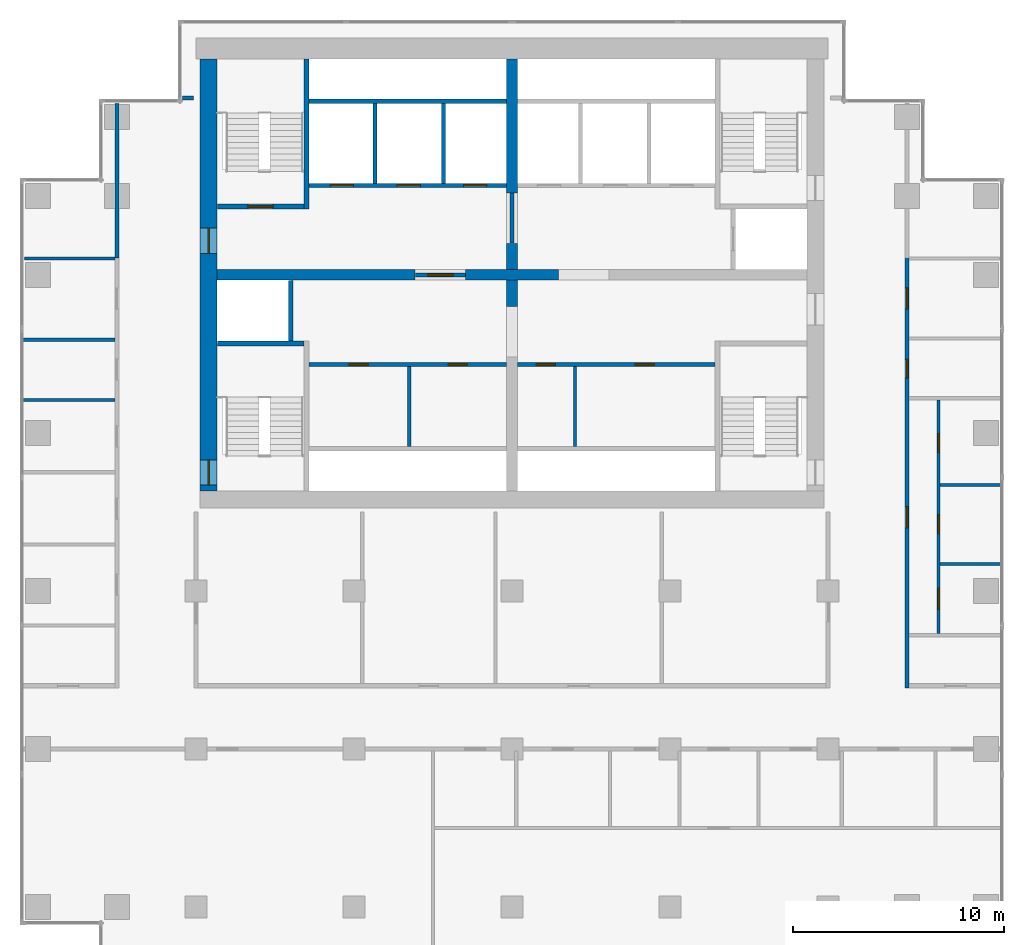
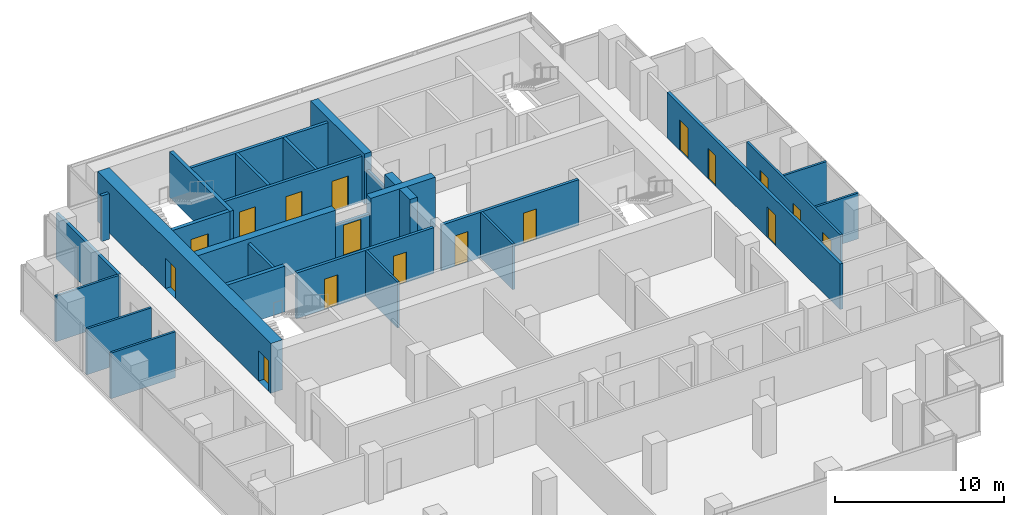
# One storey, part 8 of 10: 29 walls, 17 doors, 17 openings.
"""IFC4 building model written with IfcOpenShell, lengths in metres."""

from ifc_helpers import new_model, si_unit, direction, frame, frame_2d, origin, place, context, subcontext, project, spatial, rectangle, extrude, material, layer, layer_set, type_object, element, fill, save


model = new_model("IFC4")

# Units and contexts
model_context = context("Model", 3, precision=1e-05, world=origin(), true_north=direction((0.0, 1.0)))
body_context = subcontext(model_context, "Body", "Model", "MODEL_VIEW")
ifc_project = project(units=[si_unit("LENGTHUNIT", "METRE"), si_unit("AREAUNIT", "SQUARE_METRE"), si_unit("VOLUMEUNIT", "CUBIC_METRE"), si_unit("PLANEANGLEUNIT", "RADIAN"), si_unit("MASSUNIT", "GRAM", prefix="KILO")], contexts=[model_context])

# Site, building, storey
site_placement = place(None, origin())
site = spatial("IfcSite", under=ifc_project, at=site_placement, CompositionType="ELEMENT")
building_placement = place(site_placement, origin())
building = spatial("IfcBuilding", under=site, at=building_placement, Name="Pilkhan Gate Tower", CompositionType="ELEMENT")
storey_placement = place(building_placement, frame((0.0, 0.0, 158.5)))
storey = spatial("IfcBuildingStorey", under=building, at=storey_placement, Name="L40", CompositionType="ELEMENT", Elevation=158.5)

# Wall, openings, doors
ifc_material_1 = material(Name="Concrete C60/75", Category="concrete")
ifc_layer_1 = layer(ifc_material_1, 0.800048828125)
ifc_layer_set_1 = layer_set([ifc_layer_1], Name="Core wall CW800 C60/75")
wall_type_1 = type_object("IfcWallType", Name="Core wall CW800 C60/75", PredefinedType="SHEAR", material=ifc_layer_set_1)
wall_1_placement = place(storey_placement, frame((60.60009765625, 92.75, 0.0), z_axis=(0.0, 0.0, 1.0), x_axis=(0.0, -1.0, 0.0)))
wall_1 = element("IfcWall", 1, at=wall_1_placement, inside=storey, type_object=wall_type_1, Name="Core wall W L40", PredefinedType="SHEAR", context=body_context, shape_type="SweptSolid", body=[
    extrude(rectangle(XDim=20.5, YDim=0.800048828125, at=frame_2d((10.25, 0.0))), origin(), (0.0, 0.0, 1.0), 3.60009765625),
])
opening_1_placement = place(wall_1_placement, frame((19.02490234375, 0.0, 0.0)))
opening_1 = element("IfcOpeningElement", 2, at=opening_1_placement, cuts=wall_1, Name="Opening L40-04", PredefinedType="OPENING", context=body_context, shape_type="SweptSolid", body=[
    extrude(rectangle(XDim=1.199951171875, YDim=2.199951171875, at=frame_2d((0.60009765625, 1.10009765625))), frame((0.0, 0.409912109375, 0.0), z_axis=(0.0, -1.0, 0.0), x_axis=(1.0, 0.0, 0.0)), (0.0, 0.0, 1.0), 0.820068359375),
])
opening_2_placement = place(wall_1_placement, frame((8.02490234375, 0.0, 0.0)))
opening_2 = element("IfcOpeningElement", 3, at=opening_2_placement, cuts=wall_1, Name="Opening L40-13", PredefinedType="OPENING", context=body_context, shape_type="SweptSolid", body=[
    extrude(rectangle(XDim=1.199951171875, YDim=2.199951171875, at=frame_2d((0.60009765625, 1.10009765625))), frame((0.0, 0.409912109375, 0.0), z_axis=(0.0, -1.0, 0.0), x_axis=(1.0, 0.0, 0.0)), (0.0, 0.0, 1.0), 0.820068359375),
])
ifc_material_2 = material(Name="Steel door, 120 minute fire resisting, self-closing", Category="steel")
door_type_1 = type_object("IfcDoorType", Name="Firefighting lobby door D10 1200x2200", OperationType="SINGLE_SWING_LEFT", PredefinedType="DOOR", material=ifc_material_2)
door_1_placement = place(opening_2_placement, origin())
door_1 = element("IfcDoor", 4, at=door_1_placement, inside=storey, type_object=door_type_1, Name="Core door", OperationType="SINGLE_SWING_LEFT", OverallHeight=2.199951171875, OverallWidth=1.199951171875, PredefinedType="DOOR", context=body_context, shape_type="SweptSolid", body=[
    extrude(rectangle(XDim=1.199951171875, YDim=2.199951171875, at=frame_2d((0.60009765625, 1.10009765625))), frame((0.0, 0.02490234375, 0.0), z_axis=(0.0, -1.0, 0.0), x_axis=(1.0, 0.0, 0.0)), (0.0, 0.0, 1.0), 0.050048828125),
])
fill(opening_2, door_1)
ifc_material_3 = material(Name="Steel door, 120 minute fire resisting, panic bar", Category="steel")
door_type_2 = type_object("IfcDoorType", Name="Stair door D11 1200x2200", OperationType="SINGLE_SWING_LEFT", PredefinedType="DOOR", material=ifc_material_3)
door_2_placement = place(opening_1_placement, origin())
door_2 = element("IfcDoor", 5, at=door_2_placement, inside=storey, type_object=door_type_2, Name="Stair ST2 door", OperationType="SINGLE_SWING_LEFT", OverallHeight=2.199951171875, OverallWidth=1.199951171875, PredefinedType="DOOR", context=body_context, shape_type="SweptSolid", body=[
    extrude(rectangle(XDim=1.199951171875, YDim=2.199951171875, at=frame_2d((0.60009765625, 1.10009765625))), frame((0.0, 0.02490234375, 0.0), z_axis=(0.0, -1.0, 0.0), x_axis=(1.0, 0.0, 0.0)), (0.0, 0.0, 1.0), 0.050048828125),
])
fill(opening_1, door_2)

# Walls
ifc_material_4 = material(Name="Dense blockwork", Category="masonry")
ifc_layer_2 = layer(ifc_material_4, 0.199951171875)
ifc_layer_set_2 = layer_set([ifc_layer_2], Name="Corridor wall FW200")
wall_type_2 = type_object("IfcWallType", Name="Corridor wall FW200", PredefinedType="PARTITIONING", material=ifc_layer_set_2)
wall_2_placement = place(storey_placement, frame((59.35498046875, 90.89990234375, 0.0), z_axis=(0.0, 0.0, 1.0), x_axis=(1.0, 0.0, 0.0)))
element("IfcWall", 6, at=wall_2_placement, inside=storey, type_object=wall_type_2, Name="Partition L40", PredefinedType="PARTITIONING", context=body_context, shape_type="SweptSolid", body=[
    extrude(rectangle(XDim=0.52490234375, YDim=0.199951171875, at=frame_2d((0.262451171875, 0.0))), origin(), (0.0, 0.0, 1.0), 3.300048828125),
])
wall_3_placement = place(storey_placement, frame((56.25, 83.31005859375, 0.0), z_axis=(0.0, 0.0, 1.0), x_axis=(0.0, 1.0, 0.0)))
element("IfcWall", 7, at=wall_3_placement, inside=storey, type_object=wall_type_2, Name="Partition L40", PredefinedType="PARTITIONING", context=body_context, shape_type="SweptSolid", body=[
    extrude(rectangle(XDim=7.3349609375, YDim=0.199951171875, at=frame_2d((3.66748046875, 0.0))), origin(), (0.0, 0.0, 1.0), 3.300048828125),
])

# Wall, openings, doors
wall_4_placement = place(storey_placement, frame((93.75, 62.89990234375, 0.0), z_axis=(0.0, 0.0, 1.0), x_axis=(0.0, 1.0, 0.0)))
wall_4 = element("IfcWall", 8, at=wall_4_placement, inside=storey, type_object=wall_type_2, Name="Partition L40", PredefinedType="PARTITIONING", context=body_context, shape_type="SweptSolid", body=[
    extrude(rectangle(XDim=20.455078125, YDim=0.199951171875, at=frame_2d((10.2275390625, 0.0))), origin(), (0.0, 0.0, 1.0), 3.300048828125),
])
opening_3_placement = place(wall_4_placement, frame((7.60009765625, 0.0, 0.0)))
opening_3 = element("IfcOpeningElement", 9, at=opening_3_placement, cuts=wall_4, Name="Opening L40-11", PredefinedType="OPENING", context=body_context, shape_type="SweptSolid", body=[
    extrude(rectangle(XDim=1.0, YDim=2.199951171875, at=frame_2d((0.5, 1.10009765625))), frame((0.0, 0.10986328125, 0.0), z_axis=(0.0, -1.0, 0.0), x_axis=(1.0, 0.0, 0.0)), (0.0, 0.0, 1.0), 0.219970703125),
])
opening_4_placement = place(wall_4_placement, frame((14.699951171875, 0.0, 0.0)))
opening_4 = element("IfcOpeningElement", 10, at=opening_4_placement, cuts=wall_4, Name="Opening L40-32", PredefinedType="OPENING", context=body_context, shape_type="SweptSolid", body=[
    extrude(rectangle(XDim=0.89990234375, YDim=2.199951171875, at=frame_2d((0.449951171875, 1.10009765625))), frame((0.0, 0.10986328125, 0.0), z_axis=(0.0, -1.0, 0.0), x_axis=(1.0, 0.0, 0.0)), (0.0, 0.0, 1.0), 0.219970703125),
])
opening_5_placement = place(wall_4_placement, frame((17.990966796875, 0.0, 0.0)))
opening_5 = element("IfcOpeningElement", 11, at=opening_5_placement, cuts=wall_4, Name="Opening L40-33", PredefinedType="OPENING", context=body_context, shape_type="SweptSolid", body=[
    extrude(rectangle(XDim=1.0, YDim=2.199951171875, at=frame_2d((0.5, 1.10009765625))), frame((0.0, 0.10986328125, 0.0), z_axis=(0.0, -1.0, 0.0), x_axis=(1.0, 0.0, 0.0)), (0.0, 0.0, 1.0), 0.219970703125),
])
ifc_material_5 = material(Name="Timber flush door, 30 minute fire resisting", Category="wood")
door_type_3 = type_object("IfcDoorType", Name="Room door D03 1000x2200", OperationType="SINGLE_SWING_LEFT", PredefinedType="DOOR", material=ifc_material_5)
door_3_placement = place(opening_3_placement, origin())
door_3 = element("IfcDoor", 12, at=door_3_placement, inside=storey, type_object=door_type_3, Name="Toilet lobby door", OperationType="SINGLE_SWING_LEFT", OverallHeight=2.199951171875, OverallWidth=1.0, PredefinedType="DOOR", context=body_context, shape_type="SweptSolid", body=[
    extrude(rectangle(XDim=1.0, YDim=2.199951171875, at=frame_2d((0.5, 1.10009765625))), frame((0.0, 0.02490234375, 0.0), z_axis=(0.0, -1.0, 0.0), x_axis=(1.0, 0.0, 0.0)), (0.0, 0.0, 1.0), 0.050048828125),
])
fill(opening_3, door_3)
door_4_placement = place(opening_5_placement, origin())
door_4 = element("IfcDoor", 13, at=door_4_placement, inside=storey, type_object=door_type_3, Name="Room door", OperationType="SINGLE_SWING_LEFT", OverallHeight=2.199951171875, OverallWidth=1.0, PredefinedType="DOOR", context=body_context, shape_type="SweptSolid", body=[
    extrude(rectangle(XDim=1.0, YDim=2.199951171875, at=frame_2d((0.5, 1.10009765625))), frame((0.0, 0.02490234375, 0.0), z_axis=(0.0, -1.0, 0.0), x_axis=(1.0, 0.0, 0.0)), (0.0, 0.0, 1.0), 0.050048828125),
])
fill(opening_5, door_4)
ifc_material_6 = material(Name="Timber flush door, 60 minute fire resisting, self-closing", Category="wood")
door_type_4 = type_object("IfcDoorType", Name="Store door D05 900x2200", OperationType="SINGLE_SWING_LEFT", PredefinedType="DOOR", material=ifc_material_6)
door_5_placement = place(opening_4_placement, origin())
door_5 = element("IfcDoor", 14, at=door_5_placement, inside=storey, type_object=door_type_4, Name="Store door", OperationType="SINGLE_SWING_LEFT", OverallHeight=2.199951171875, OverallWidth=0.89990234375, PredefinedType="DOOR", context=body_context, shape_type="SweptSolid", body=[
    extrude(rectangle(XDim=0.89990234375, YDim=2.199951171875, at=frame_2d((0.449951171875, 1.10009765625))), frame((0.0, 0.02490234375, 0.0), z_axis=(0.0, -1.0, 0.0), x_axis=(1.0, 0.0, 0.0)), (0.0, 0.0, 1.0), 0.050048828125),
])
fill(opening_4, door_5)

ifc_layer_3 = layer(ifc_material_4, 0.199951171875)
ifc_layer_set_3 = layer_set([ifc_layer_3], Name="Lobby wall LW200")
wall_type_3 = type_object("IfcWallType", Name="Lobby wall LW200", PredefinedType="PARTITIONING", material=ifc_layer_set_3)
wall_5_placement = place(storey_placement, frame((65.375, 78.25, 0.0), z_axis=(0.0, 0.0, 1.0), x_axis=(1.0, 0.0, 0.0)))
wall_5 = element("IfcWall", 15, at=wall_5_placement, inside=storey, type_object=wall_type_3, Name="Partition L40", PredefinedType="PARTITIONING", context=body_context, shape_type="SweptSolid", body=[
    extrude(rectangle(XDim=9.364990234375, YDim=0.199951171875, at=frame_2d((4.6826171875, 0.0))), origin(), (0.0, 0.0, 1.0), 3.300048828125),
])
opening_6_placement = place(wall_5_placement, frame((1.89990234375, 0.0, 0.0)))
opening_6 = element("IfcOpeningElement", 16, at=opening_6_placement, cuts=wall_5, Name="Opening L40-14", PredefinedType="OPENING", context=body_context, shape_type="SweptSolid", body=[
    extrude(rectangle(XDim=0.89990234375, YDim=2.199951171875, at=frame_2d((0.449951171875, 1.10009765625))), frame((0.0, 0.10986328125, 0.0), z_axis=(0.0, -1.0, 0.0), x_axis=(1.0, 0.0, 0.0)), (0.0, 0.0, 1.0), 0.219970703125),
])
opening_7_placement = place(wall_5_placement, frame((6.60009765625, 0.0, 0.0)))
opening_7 = element("IfcOpeningElement", 17, at=opening_7_placement, cuts=wall_5, Name="Opening L40-15", PredefinedType="OPENING", context=body_context, shape_type="SweptSolid", body=[
    extrude(rectangle(XDim=0.89990234375, YDim=2.199951171875, at=frame_2d((0.449951171875, 1.10009765625))), frame((0.0, 0.10986328125, 0.0), z_axis=(0.0, -1.0, 0.0), x_axis=(1.0, 0.0, 0.0)), (0.0, 0.0, 1.0), 0.219970703125),
])
door_6_placement = place(opening_6_placement, origin())
door_6 = element("IfcDoor", 18, at=door_6_placement, inside=storey, type_object=door_type_4, Name="Store door", OperationType="SINGLE_SWING_RIGHT", OverallHeight=2.199951171875, OverallWidth=0.89990234375, PredefinedType="DOOR", context=body_context, shape_type="SweptSolid", body=[
    extrude(rectangle(XDim=0.89990234375, YDim=2.199951171875, at=frame_2d((0.449951171875, 1.10009765625))), frame((0.0, 0.02490234375, 0.0), z_axis=(0.0, -1.0, 0.0), x_axis=(1.0, 0.0, 0.0)), (0.0, 0.0, 1.0), 0.050048828125),
])
fill(opening_6, door_6)
door_7_placement = place(opening_7_placement, origin())
door_7 = element("IfcDoor", 19, at=door_7_placement, inside=storey, type_object=door_type_4, Name="Store door", OperationType="SINGLE_SWING_LEFT", OverallHeight=2.199951171875, OverallWidth=0.89990234375, PredefinedType="DOOR", context=body_context, shape_type="SweptSolid", body=[
    extrude(rectangle(XDim=0.89990234375, YDim=2.199951171875, at=frame_2d((0.449951171875, 1.10009765625))), frame((0.0, 0.02490234375, 0.0), z_axis=(0.0, -1.0, 0.0), x_axis=(1.0, 0.0, 0.0)), (0.0, 0.0, 1.0), 0.050048828125),
])
fill(opening_7, door_7)

wall_6_placement = place(storey_placement, frame((75.260009765625, 78.25, 0.0), z_axis=(0.0, 0.0, 1.0), x_axis=(1.0, 0.0, 0.0)))
wall_6 = element("IfcWall", 20, at=wall_6_placement, inside=storey, type_object=wall_type_3, Name="Partition L40", PredefinedType="PARTITIONING", context=body_context, shape_type="SweptSolid", body=[
    extrude(rectangle(XDim=9.364990234375, YDim=0.199951171875, at=frame_2d((4.6826171875, 0.0))), origin(), (0.0, 0.0, 1.0), 3.300048828125),
])
opening_8_placement = place(wall_6_placement, frame((0.89990234375, 0.0, 0.0)))
opening_8 = element("IfcOpeningElement", 21, at=opening_8_placement, cuts=wall_6, Name="Opening L40-16", PredefinedType="OPENING", context=body_context, shape_type="SweptSolid", body=[
    extrude(rectangle(XDim=0.89990234375, YDim=2.199951171875, at=frame_2d((0.449951171875, 1.10009765625))), frame((0.0, 0.10986328125, 0.0), z_axis=(0.0, -1.0, 0.0), x_axis=(1.0, 0.0, 0.0)), (0.0, 0.0, 1.0), 0.219970703125),
])
opening_9_placement = place(wall_6_placement, frame((5.580078125, 0.0, 0.0)))
opening_9 = element("IfcOpeningElement", 22, at=opening_9_placement, cuts=wall_6, Name="Opening L40-17", PredefinedType="OPENING", context=body_context, shape_type="SweptSolid", body=[
    extrude(rectangle(XDim=0.89990234375, YDim=2.199951171875, at=frame_2d((0.449951171875, 1.10009765625))), frame((0.0, 0.10986328125, 0.0), z_axis=(0.0, -1.0, 0.0), x_axis=(1.0, 0.0, 0.0)), (0.0, 0.0, 1.0), 0.219970703125),
])
door_8_placement = place(opening_8_placement, origin())
door_8 = element("IfcDoor", 23, at=door_8_placement, inside=storey, type_object=door_type_4, Name="Store door", OperationType="SINGLE_SWING_LEFT", OverallHeight=2.199951171875, OverallWidth=0.89990234375, PredefinedType="DOOR", context=body_context, shape_type="SweptSolid", body=[
    extrude(rectangle(XDim=0.89990234375, YDim=2.199951171875, at=frame_2d((0.449951171875, 1.10009765625))), frame((0.0, 0.02490234375, 0.0), z_axis=(0.0, -1.0, 0.0), x_axis=(1.0, 0.0, 0.0)), (0.0, 0.0, 1.0), 0.050048828125),
])
fill(opening_8, door_8)
door_9_placement = place(opening_9_placement, origin())
door_9 = element("IfcDoor", 24, at=door_9_placement, inside=storey, type_object=door_type_4, Name="Store door", OperationType="SINGLE_SWING_LEFT", OverallHeight=2.199951171875, OverallWidth=0.89990234375, PredefinedType="DOOR", context=body_context, shape_type="SweptSolid", body=[
    extrude(rectangle(XDim=0.89990234375, YDim=2.199951171875, at=frame_2d((0.449951171875, 1.10009765625))), frame((0.0, 0.02490234375, 0.0), z_axis=(0.0, -1.0, 0.0), x_axis=(1.0, 0.0, 0.0)), (0.0, 0.0, 1.0), 0.050048828125),
])
fill(opening_9, door_9)

# Wall, opening, door
wall_7_placement = place(storey_placement, frame((70.409912109375, 82.5, 0.0), z_axis=(0.0, 0.0, 1.0), x_axis=(1.0, 0.0, 0.0)))
wall_7 = element("IfcWall", 25, at=wall_7_placement, inside=storey, type_object=wall_type_3, Name="Partition L40", PredefinedType="PARTITIONING", context=body_context, shape_type="SweptSolid", body=[
    extrude(rectangle(XDim=2.380126953125, YDim=0.199951171875, at=frame_2d((1.18994140625, 0.0))), origin(), (0.0, 0.0, 1.0), 2.39990234375),
])
opening_10_placement = place(wall_7_placement, frame((0.60009765625, 0.0, 0.0)))
opening_10 = element("IfcOpeningElement", 26, at=opening_10_placement, cuts=wall_7, Name="Opening L40-01", PredefinedType="OPENING", context=body_context, shape_type="SweptSolid", body=[
    extrude(rectangle(XDim=1.199951171875, YDim=2.199951171875, at=frame_2d((0.60009765625, 1.10009765625))), frame((0.0, 0.10986328125, 0.0), z_axis=(0.0, -1.0, 0.0), x_axis=(1.0, 0.0, 0.0)), (0.0, 0.0, 1.0), 0.219970703125),
])
door_10_placement = place(opening_10_placement, origin())
door_10 = element("IfcDoor", 27, at=door_10_placement, inside=storey, type_object=door_type_1, Name="Firefighting lobby door", OperationType="SINGLE_SWING_RIGHT", OverallHeight=2.199951171875, OverallWidth=1.199951171875, PredefinedType="DOOR", context=body_context, shape_type="SweptSolid", body=[
    extrude(rectangle(XDim=1.199951171875, YDim=2.199951171875, at=frame_2d((0.60009765625, 1.10009765625))), frame((0.0, 0.02490234375, 0.0), z_axis=(0.0, -1.0, 0.0), x_axis=(1.0, 0.0, 0.0)), (0.0, 0.0, 1.0), 0.050048828125),
])
fill(opening_10, door_10)

# Walls
wall_8_placement = place(storey_placement, frame((75.0, 84.010009765625, 0.0), z_axis=(0.0, 0.0, 1.0), x_axis=(0.0, 1.0, 0.0)))
element("IfcWall", 28, at=wall_8_placement, inside=storey, type_object=wall_type_3, Name="Partition L40", PredefinedType="PARTITIONING", context=body_context, shape_type="SweptSolid", body=[
    extrude(rectangle(XDim=2.3798828125, YDim=0.199951171875, at=frame_2d((1.18994140625, 0.0))), origin(), (0.0, 0.0, 1.0), 2.39990234375),
])
ifc_material_7 = material(Name="Blockwork partition, plastered both sides", Category="masonry")
ifc_layer_4 = layer(ifc_material_7, 0.14990234375)
ifc_layer_set_4 = layer_set([ifc_layer_4], Name="Partition PW150")
wall_type_4 = type_object("IfcWallType", Name="Partition PW150", PredefinedType="PARTITIONING", material=ifc_layer_set_4)
for number, where, z_axis, x_axis, name in (
    (29, (95.324951171875, 68.77490234375, 0.0), (0.0, 0.0, 1.0), (1.0, 0.0, 0.0), "Partition L40"),
    (30, (95.324951171875, 72.52490234375, 0.0), (0.0, 0.0, 1.0), (1.0, 0.0, 0.0), "Partition L40"),
):
    element("IfcWall", number, at=place(storey_placement, frame(where, z_axis=z_axis, x_axis=x_axis)), inside=storey, type_object=wall_type_4, Name=name, PredefinedType="PARTITIONING", context=body_context, shape_type="SweptSolid", body=[
        extrude(rectangle(XDim=2.93994140625, YDim=0.14990234375, at=frame_2d((1.469970703125, 0.0))), origin(), (0.0, 0.0, 1.0), 3.300048828125),
    ])
for number, where, z_axis, x_axis, name in (
    (31, (51.735107421875, 76.568115234375, 0.0), (0.0, 0.0, 1.0), (1.0, 0.0, 0.0), "Partition L40"),
    (32, (51.735107421875, 79.424072265625, 0.0), (0.0, 0.0, 1.0), (1.0, 0.0, 0.0), "Partition L40"),
):
    element("IfcWall", number, at=place(storey_placement, frame(where, z_axis=z_axis, x_axis=x_axis)), inside=storey, type_object=wall_type_4, Name=name, PredefinedType="PARTITIONING", context=body_context, shape_type="SweptSolid", body=[
        extrude(rectangle(XDim=4.414794921875, YDim=0.14990234375, at=frame_2d((2.20751953125, 0.0))), origin(), (0.0, 0.0, 1.0), 3.300048828125),
    ])
wall_9_placement = place(storey_placement, frame((51.85498046875, 83.280029296875, 0.0), z_axis=(0.0, 0.0, 1.0), x_axis=(1.0, 0.0, 0.0)))
element("IfcWall", 33, at=wall_9_placement, inside=storey, type_object=wall_type_4, Name="Partition L40", PredefinedType="PARTITIONING", context=body_context, shape_type="SweptSolid", body=[
    extrude(rectangle(XDim=4.294921875, YDim=0.14990234375, at=frame_2d((2.1474609375, 0.0))), origin(), (0.0, 0.0, 1.0), 3.300048828125),
])
for number, where, z_axis, x_axis, name in (
    (34, (70.125, 74.35009765625, 0.0), (0.0, 0.0, 1.0), (0.0, 1.0, 0.0), "Partition L40"),
    (35, (77.989990234375, 74.35009765625, 0.0), (0.0, 0.0, 1.0), (0.0, 1.0, 0.0), "Partition L40"),
):
    element("IfcWall", number, at=place(storey_placement, frame(where, z_axis=z_axis, x_axis=x_axis)), inside=storey, type_object=wall_type_4, Name=name, PredefinedType="PARTITIONING", context=body_context, shape_type="SweptSolid", body=[
        extrude(rectangle(XDim=3.7998046875, YDim=0.14990234375, at=frame_2d((1.89990234375, 0.0))), origin(), (0.0, 0.0, 1.0), 3.300048828125),
    ])

# Wall, openings, doors
wall_10_placement = place(storey_placement, frame((95.25, 65.47509765625, 0.0), z_axis=(0.0, 0.0, 1.0), x_axis=(0.0, 1.0, 0.0)))
wall_10 = element("IfcWall", 36, at=wall_10_placement, inside=storey, type_object=wall_type_4, Name="Partition L40", PredefinedType="PARTITIONING", context=body_context, shape_type="SweptSolid", body=[
    extrude(rectangle(XDim=11.099853515625, YDim=0.14990234375, at=frame_2d((5.5498046875, 0.0))), origin(), (0.0, 0.0, 1.0), 3.300048828125),
])
opening_11_placement = place(wall_10_placement, frame((1.14990234375, 0.0, 0.0)))
opening_11 = element("IfcOpeningElement", 37, at=opening_11_placement, cuts=wall_10, Name="Opening L40-28", PredefinedType="OPENING", context=body_context, shape_type="SweptSolid", body=[
    extrude(rectangle(XDim=1.0, YDim=2.199951171875, at=frame_2d((0.5, 1.10009765625))), frame((0.0, 0.0849609375, 0.0), z_axis=(0.0, -1.0, 0.0), x_axis=(1.0, 0.0, 0.0)), (0.0, 0.0, 1.0), 0.169921875),
])
opening_12_placement = place(wall_10_placement, frame((4.75, 0.0, 0.0)))
opening_12 = element("IfcOpeningElement", 38, at=opening_12_placement, cuts=wall_10, Name="Opening L40-29", PredefinedType="OPENING", context=body_context, shape_type="SweptSolid", body=[
    extrude(rectangle(XDim=0.89990234375, YDim=2.199951171875, at=frame_2d((0.449951171875, 1.10009765625))), frame((0.0, 0.0849609375, 0.0), z_axis=(0.0, -1.0, 0.0), x_axis=(1.0, 0.0, 0.0)), (0.0, 0.0, 1.0), 0.169921875),
])
opening_13_placement = place(wall_10_placement, frame((8.60009765625, 0.0, 0.0)))
opening_13 = element("IfcOpeningElement", 39, at=opening_13_placement, cuts=wall_10, Name="Opening L40-30", PredefinedType="OPENING", context=body_context, shape_type="SweptSolid", body=[
    extrude(rectangle(XDim=0.89990234375, YDim=2.199951171875, at=frame_2d((0.449951171875, 1.10009765625))), frame((0.0, 0.0849609375, 0.0), z_axis=(0.0, -1.0, 0.0), x_axis=(1.0, 0.0, 0.0)), (0.0, 0.0, 1.0), 0.169921875),
])
ifc_material_8 = material(Name="Timber flush door, outward opening, 30 minute fire resisting", Category="wood")
door_type_5 = type_object("IfcDoorType", Name="Accessible toilet door D07 1000x2200", OperationType="SINGLE_SWING_LEFT", PredefinedType="DOOR", material=ifc_material_8)
door_11_placement = place(opening_11_placement, origin())
door_11 = element("IfcDoor", 40, at=door_11_placement, inside=storey, type_object=door_type_5, Name="Accessible toilet door", OperationType="SINGLE_SWING_LEFT", OverallHeight=2.199951171875, OverallWidth=1.0, PredefinedType="DOOR", context=body_context, shape_type="SweptSolid", body=[
    extrude(rectangle(XDim=1.0, YDim=2.199951171875, at=frame_2d((0.5, 1.10009765625))), frame((0.0, 0.02490234375, 0.0), z_axis=(0.0, -1.0, 0.0), x_axis=(1.0, 0.0, 0.0)), (0.0, 0.0, 1.0), 0.050048828125),
])
fill(opening_11, door_11)
door_type_6 = type_object("IfcDoorType", Name="Toilet door D06 900x2200", OperationType="SINGLE_SWING_LEFT", PredefinedType="DOOR", material=ifc_material_5)
door_12_placement = place(opening_12_placement, origin())
door_12 = element("IfcDoor", 41, at=door_12_placement, inside=storey, type_object=door_type_6, Name="Toilet door", OperationType="SINGLE_SWING_LEFT", OverallHeight=2.199951171875, OverallWidth=0.89990234375, PredefinedType="DOOR", context=body_context, shape_type="SweptSolid", body=[
    extrude(rectangle(XDim=0.89990234375, YDim=2.199951171875, at=frame_2d((0.449951171875, 1.10009765625))), frame((0.0, 0.02490234375, 0.0), z_axis=(0.0, -1.0, 0.0), x_axis=(1.0, 0.0, 0.0)), (0.0, 0.0, 1.0), 0.050048828125),
])
fill(opening_12, door_12)
door_13_placement = place(opening_13_placement, origin())
door_13 = element("IfcDoor", 42, at=door_13_placement, inside=storey, type_object=door_type_6, Name="Toilet door", OperationType="SINGLE_SWING_LEFT", OverallHeight=2.199951171875, OverallWidth=0.89990234375, PredefinedType="DOOR", context=body_context, shape_type="SweptSolid", body=[
    extrude(rectangle(XDim=0.89990234375, YDim=2.199951171875, at=frame_2d((0.449951171875, 1.10009765625))), frame((0.0, 0.02490234375, 0.0), z_axis=(0.0, -1.0, 0.0), x_axis=(1.0, 0.0, 0.0)), (0.0, 0.0, 1.0), 0.050048828125),
])
fill(opening_13, door_13)

ifc_material_9 = material(Name="Reinforced blockwork shaft wall, 120 minute fire resisting", Category="masonry")
ifc_layer_5 = layer(ifc_material_9, 0.199951171875)
ifc_layer_set_5 = layer_set([ifc_layer_5], Name="Shaft wall SW200")
wall_type_5 = type_object("IfcWallType", Name="Shaft wall SW200", PredefinedType="PARTITIONING", material=ifc_layer_set_5)
wall_11_placement = place(storey_placement, frame((65.375, 86.75, 0.0), z_axis=(0.0, 0.0, 1.0), x_axis=(1.0, 0.0, 0.0)))
wall_11 = element("IfcWall", 43, at=wall_11_placement, inside=storey, type_object=wall_type_5, Name="Partition L40", PredefinedType="PARTITIONING", context=body_context, shape_type="SweptSolid", body=[
    extrude(rectangle(XDim=9.364990234375, YDim=0.199951171875, at=frame_2d((4.6826171875, 0.0))), origin(), (0.0, 0.0, 1.0), 3.300048828125),
])
opening_14_placement = place(wall_11_placement, frame((1.0, 0.0, 0.0)))
opening_14 = element("IfcOpeningElement", 44, at=opening_14_placement, cuts=wall_11, Name="Opening LD", PredefinedType="OPENING", context=body_context, shape_type="SweptSolid", body=[
    extrude(rectangle(XDim=1.10009765625, YDim=2.199951171875, at=frame_2d((0.550048828125, 1.10009765625))), frame((0.0, 0.10986328125, 0.0), z_axis=(0.0, -1.0, 0.0), x_axis=(1.0, 0.0, 0.0)), (0.0, 0.0, 1.0), 0.219970703125),
])
opening_15_placement = place(wall_11_placement, frame((4.175048828125, 0.0, 0.0)))
opening_15 = element("IfcOpeningElement", 45, at=opening_15_placement, cuts=wall_11, Name="Opening LD", PredefinedType="OPENING", context=body_context, shape_type="SweptSolid", body=[
    extrude(rectangle(XDim=1.10009765625, YDim=2.199951171875, at=frame_2d((0.550048828125, 1.10009765625))), frame((0.0, 0.10986328125, 0.0), z_axis=(0.0, -1.0, 0.0), x_axis=(1.0, 0.0, 0.0)), (0.0, 0.0, 1.0), 0.219970703125),
])
opening_16_placement = place(wall_11_placement, frame((7.324951171875, 0.0, 0.0)))
opening_16 = element("IfcOpeningElement", 46, at=opening_16_placement, cuts=wall_11, Name="Opening LD", PredefinedType="OPENING", context=body_context, shape_type="SweptSolid", body=[
    extrude(rectangle(XDim=1.10009765625, YDim=2.199951171875, at=frame_2d((0.550048828125, 1.10009765625))), frame((0.0, 0.10986328125, 0.0), z_axis=(0.0, -1.0, 0.0), x_axis=(1.0, 0.0, 0.0)), (0.0, 0.0, 1.0), 0.219970703125),
])
ifc_material_10 = material(Name="Stainless steel centre-opening landing door, 120 minute fire resisting", Category="steel")
door_type_7 = type_object("IfcDoorType", Name="Lift landing door LD 1100x2200", OperationType="DOUBLE_DOOR_SLIDING", PredefinedType="DOOR", material=ifc_material_10)
door_14_placement = place(opening_14_placement, origin())
door_14 = element("IfcDoor", 47, at=door_14_placement, inside=storey, type_object=door_type_7, Name="Landing door FF1", OperationType="DOUBLE_DOOR_SLIDING", OverallHeight=2.199951171875, OverallWidth=1.10009765625, PredefinedType="DOOR", context=body_context, shape_type="SweptSolid", body=[
    extrude(rectangle(XDim=1.10009765625, YDim=2.199951171875, at=frame_2d((0.550048828125, 1.10009765625))), frame((0.0, 0.02490234375, 0.0), z_axis=(0.0, -1.0, 0.0), x_axis=(1.0, 0.0, 0.0)), (0.0, 0.0, 1.0), 0.050048828125),
])
fill(opening_14, door_14)
door_15_placement = place(opening_15_placement, origin())
door_15 = element("IfcDoor", 48, at=door_15_placement, inside=storey, type_object=door_type_7, Name="Landing door FF2", OperationType="DOUBLE_DOOR_SLIDING", OverallHeight=2.199951171875, OverallWidth=1.10009765625, PredefinedType="DOOR", context=body_context, shape_type="SweptSolid", body=[
    extrude(rectangle(XDim=1.10009765625, YDim=2.199951171875, at=frame_2d((0.550048828125, 1.10009765625))), frame((0.0, 0.02490234375, 0.0), z_axis=(0.0, -1.0, 0.0), x_axis=(1.0, 0.0, 0.0)), (0.0, 0.0, 1.0), 0.050048828125),
])
fill(opening_15, door_15)
door_16_placement = place(opening_16_placement, origin())
door_16 = element("IfcDoor", 49, at=door_16_placement, inside=storey, type_object=door_type_7, Name="Landing door SV1", OperationType="DOUBLE_DOOR_SLIDING", OverallHeight=2.199951171875, OverallWidth=1.10009765625, PredefinedType="DOOR", context=body_context, shape_type="SweptSolid", body=[
    extrude(rectangle(XDim=1.10009765625, YDim=2.199951171875, at=frame_2d((0.550048828125, 1.10009765625))), frame((0.0, 0.02490234375, 0.0), z_axis=(0.0, -1.0, 0.0), x_axis=(1.0, 0.0, 0.0)), (0.0, 0.0, 1.0), 0.050048828125),
])
fill(opening_16, door_16)

# Walls
wall_12_placement = place(storey_placement, frame((65.375, 90.75, 0.0), z_axis=(0.0, 0.0, 1.0), x_axis=(1.0, 0.0, 0.0)))
element("IfcWall", 50, at=wall_12_placement, inside=storey, type_object=wall_type_5, Name="Partition L40", PredefinedType="PARTITIONING", context=body_context, shape_type="SweptSolid", body=[
    extrude(rectangle(XDim=9.364990234375, YDim=0.199951171875, at=frame_2d((4.6826171875, 0.0))), origin(), (0.0, 0.0, 1.0), 3.300048828125),
])
wall_13_placement = place(storey_placement, frame((64.5, 79.375, 0.0), z_axis=(0.0, 0.0, 1.0), x_axis=(0.0, 1.0, 0.0)))
element("IfcWall", 51, at=wall_13_placement, inside=storey, type_object=wall_type_5, Name="Partition L40", PredefinedType="PARTITIONING", context=body_context, shape_type="SweptSolid", body=[
    extrude(rectangle(XDim=2.864990234375, YDim=0.199951171875, at=frame_2d((1.4326171875, 0.0))), origin(), (0.0, 0.0, 1.0), 3.300048828125),
])
for number, where, z_axis, x_axis, name in (
    (52, (68.5, 86.85009765625, 0.0), (0.0, 0.0, 1.0), (0.0, 1.0, 0.0), "Partition L40"),
    (53, (71.75, 86.85009765625, 0.0), (0.0, 0.0, 1.0), (0.0, 1.0, 0.0), "Partition L40"),
):
    element("IfcWall", number, at=place(storey_placement, frame(where, z_axis=z_axis, x_axis=x_axis)), inside=storey, type_object=wall_type_5, Name=name, PredefinedType="PARTITIONING", context=body_context, shape_type="SweptSolid", body=[
        extrude(rectangle(XDim=3.7998046875, YDim=0.199951171875, at=frame_2d((1.89990234375, 0.0))), origin(), (0.0, 0.0, 1.0), 3.300048828125),
    ])
ifc_layer_6 = layer(ifc_material_1, 0.5)
ifc_layer_set_6 = layer_set([ifc_layer_6], Name="Spine wall SW500 C60/75")
wall_type_6 = type_object("IfcWallType", Name="Spine wall SW500 C60/75", PredefinedType="SHEAR", material=ifc_layer_set_6)
wall_14_placement = place(storey_placement, frame((61.0, 82.5, 0.0), z_axis=(0.0, 0.0, 1.0), x_axis=(1.0, 0.0, 0.0)))
element("IfcWall", 54, at=wall_14_placement, inside=storey, type_object=wall_type_6, Name="Spine wall SP-EW1 L40", PredefinedType="SHEAR", context=body_context, shape_type="SweptSolid", body=[
    extrude(rectangle(XDim=9.39990234375, YDim=0.5, at=frame_2d((4.699951171875, 0.0))), origin(), (0.0, 0.0, 1.0), 3.60009765625),
])
wall_15_placement = place(storey_placement, frame((72.800048828125, 82.5, 0.0), z_axis=(0.0, 0.0, 1.0), x_axis=(1.0, 0.0, 0.0)))
element("IfcWall", 55, at=wall_15_placement, inside=storey, type_object=wall_type_6, Name="Spine wall SP-EW2 L40", PredefinedType="SHEAR", context=body_context, shape_type="SweptSolid", body=[
    extrude(rectangle(XDim=4.39990234375, YDim=0.5, at=frame_2d((2.199951171875, 0.0))), origin(), (0.0, 0.0, 1.0), 3.60009765625),
])
for number, where, z_axis, x_axis, name in (
    (56, (75.0, 81.0, 0.0), (0.0, 0.0, 1.0), (0.0, 1.0, 0.0), "Spine wall SP-NS-S2 L40"),
    (57, (75.0, 82.75, 0.0), (0.0, 0.0, 1.0), (0.0, 1.0, 0.0), "Spine wall SP-NS-N1 L40"),
):
    element("IfcWall", number, at=place(storey_placement, frame(where, z_axis=z_axis, x_axis=x_axis)), inside=storey, type_object=wall_type_6, Name=name, PredefinedType="SHEAR", context=body_context, shape_type="SweptSolid", body=[
        extrude(rectangle(XDim=1.25, YDim=0.5, at=frame_2d((0.625, 0.0))), origin(), (0.0, 0.0, 1.0), 3.60009765625),
    ])
wall_16_placement = place(storey_placement, frame((75.0, 86.39990234375, 0.0), z_axis=(0.0, 0.0, 1.0), x_axis=(0.0, 1.0, 0.0)))
element("IfcWall", 58, at=wall_16_placement, inside=storey, type_object=wall_type_6, Name="Spine wall SP-NS-N2 L40", PredefinedType="SHEAR", context=body_context, shape_type="SweptSolid", body=[
    extrude(rectangle(XDim=6.35009765625, YDim=0.5, at=frame_2d((3.175048828125, 0.0))), origin(), (0.0, 0.0, 1.0), 3.60009765625),
])
ifc_material_11 = material(Name="Reinforced blockwork, 120 minute fire resisting", Category="masonry")
ifc_layer_7 = layer(ifc_material_11, 0.25)
ifc_layer_set_7 = layer_set([ifc_layer_7], Name="Stair enclosure wall SE250")
wall_type_7 = type_object("IfcWallType", Name="Stair enclosure wall SE250", PredefinedType="PARTITIONING", material=ifc_layer_set_7)
wall_17_placement = place(storey_placement, frame((61.010009765625, 79.25, 0.0), z_axis=(0.0, 0.0, 1.0), x_axis=(1.0, 0.0, 0.0)))
element("IfcWall", 59, at=wall_17_placement, inside=storey, type_object=wall_type_7, Name="Partition L40", PredefinedType="PARTITIONING", context=body_context, shape_type="SweptSolid", body=[
    extrude(rectangle(XDim=4.114990234375, YDim=0.25, at=frame_2d((2.0576171875, 0.0))), origin(), (0.0, 0.0, 1.0), 3.300048828125),
])

# Wall, opening, door
wall_18_placement = place(storey_placement, frame((61.010009765625, 85.75, 0.0), z_axis=(0.0, 0.0, 1.0), x_axis=(1.0, 0.0, 0.0)))
wall_18 = element("IfcWall", 60, at=wall_18_placement, inside=storey, type_object=wall_type_7, Name="Partition L40", PredefinedType="PARTITIONING", context=body_context, shape_type="SweptSolid", body=[
    extrude(rectangle(XDim=4.114990234375, YDim=0.25, at=frame_2d((2.0576171875, 0.0))), origin(), (0.0, 0.0, 1.0), 3.300048828125),
])
opening_17_placement = place(wall_18_placement, frame((1.449951171875, 0.0, 0.0)))
opening_17 = element("IfcOpeningElement", 61, at=opening_17_placement, cuts=wall_18, Name="Opening L40-02", PredefinedType="OPENING", context=body_context, shape_type="SweptSolid", body=[
    extrude(rectangle(XDim=1.199951171875, YDim=2.199951171875, at=frame_2d((0.60009765625, 1.10009765625))), frame((0.0, 0.135009765625, 0.0), z_axis=(0.0, -1.0, 0.0), x_axis=(1.0, 0.0, 0.0)), (0.0, 0.0, 1.0), 0.27001953125),
])
door_17_placement = place(opening_17_placement, origin())
door_17 = element("IfcDoor", 62, at=door_17_placement, inside=storey, type_object=door_type_2, Name="Stair ST3 lobby door", OperationType="SINGLE_SWING_RIGHT", OverallHeight=2.199951171875, OverallWidth=1.199951171875, PredefinedType="DOOR", context=body_context, shape_type="SweptSolid", body=[
    extrude(rectangle(XDim=1.199951171875, YDim=2.199951171875, at=frame_2d((0.60009765625, 1.10009765625))), frame((0.0, 0.02490234375, 0.0), z_axis=(0.0, -1.0, 0.0), x_axis=(1.0, 0.0, 0.0)), (0.0, 0.0, 1.0), 0.050048828125),
])
fill(opening_17, door_17)

# Wall
wall_19_placement = place(storey_placement, frame((65.25, 85.625, 0.0), z_axis=(0.0, 0.0, 1.0), x_axis=(0.0, 1.0, 0.0)))
element("IfcWall", 63, at=wall_19_placement, inside=storey, type_object=wall_type_7, Name="Partition L40", PredefinedType="PARTITIONING", context=body_context, shape_type="SweptSolid", body=[
    extrude(rectangle(XDim=7.114990234375, YDim=0.25, at=frame_2d((3.5576171875, 0.0))), origin(), (0.0, 0.0, 1.0), 3.300048828125),
])

save(model, "model.ifc")
